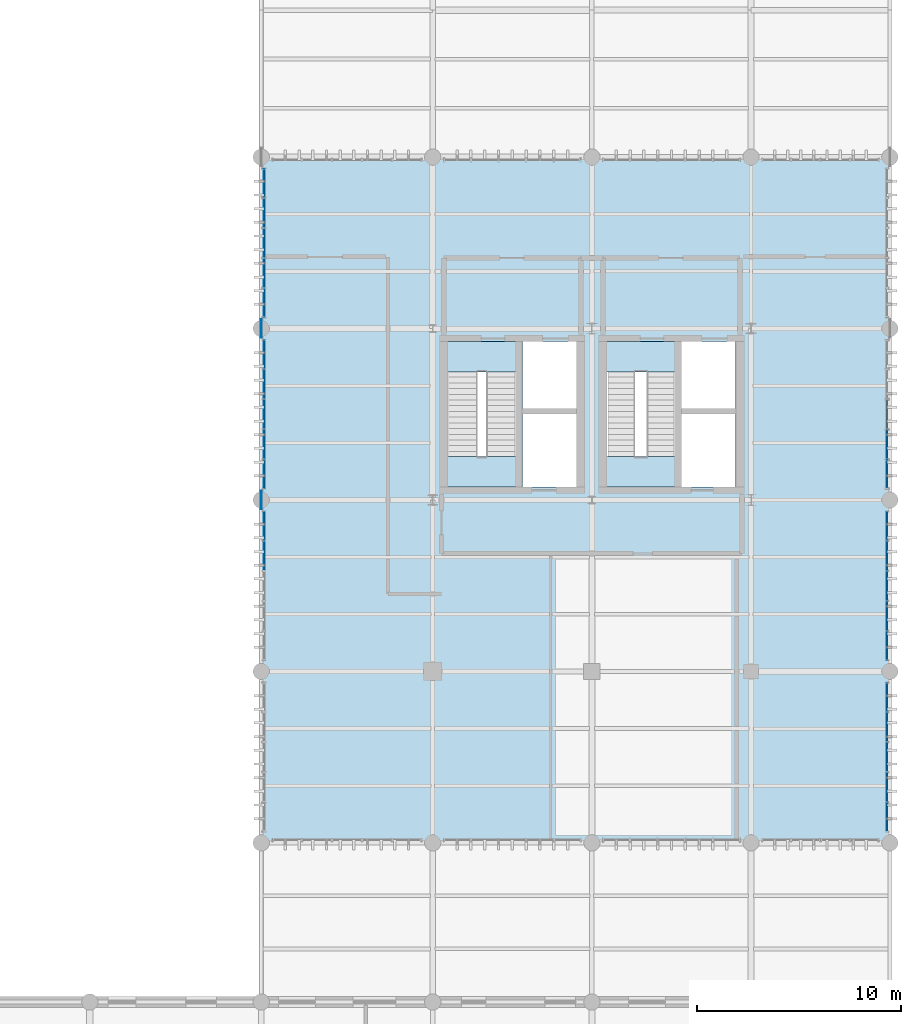
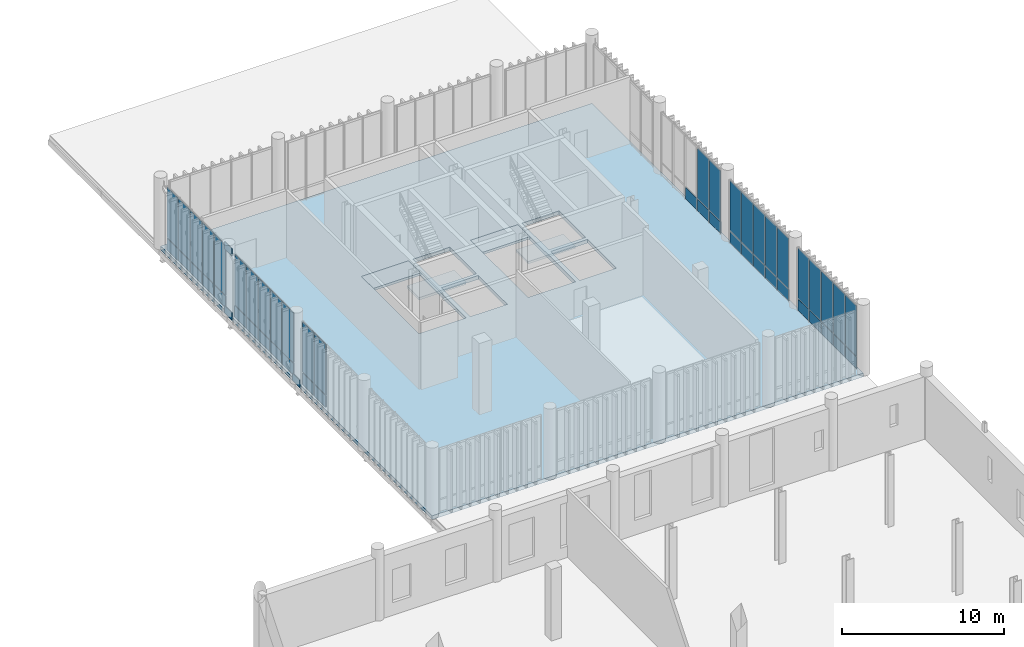
# One storey, part 102 of 128: 52 plates, 5 slabs, 8 elements without a shape of their own.
"""IFC4 building model written with IfcOpenShell, lengths in metres."""

from ifc_helpers import new_model, si_unit, direction, frame, frame_2d, origin_with_axes, origin_2d_with_axis, place, context, subcontext, project, spatial, polyline, rectangle, outline, extrude, material, layer, layer_set, type_object, element, aggregate, save


model = new_model("IFC4")

# Units and contexts
model_context = context("Model", 3, precision=1e-05, world=origin_with_axes(), true_north=direction((0.0, 1.0)))
body_context = subcontext(model_context, "Body", "Model", "MODEL_VIEW")
ifc_project = project(units=[si_unit("LENGTHUNIT", "METRE"), si_unit("AREAUNIT", "SQUARE_METRE"), si_unit("VOLUMEUNIT", "CUBIC_METRE"), si_unit("PLANEANGLEUNIT", "RADIAN"), si_unit("MASSUNIT", "GRAM", prefix="KILO"), si_unit("THERMODYNAMICTEMPERATUREUNIT", "KELVIN")], contexts=[model_context])

# Site, building, storey
site_placement = place(None, origin_with_axes())
site = spatial("IfcSite", under=ifc_project, at=site_placement, CompositionType="ELEMENT")
building_placement = place(site_placement, origin_with_axes())
building = spatial("IfcBuilding", under=site, at=building_placement, Name="Montbau Bow Law Courts", CompositionType="ELEMENT")
storey_placement = place(building_placement, frame((0.0, 0.0, 5.4), z_axis=(0.0, 0.0, 1.0), x_axis=(1.0, 0.0, 0.0)))
storey = spatial("IfcBuildingStorey", under=building, at=storey_placement, Name="L01", CompositionType="ELEMENT", Elevation=5.4)

# Curtain wall, plates
ifc_material_1 = material(Name="Thermally Broken Extruded Aluminium AA 6063-T6", Category="aluminium")
curtain_wall_type = type_object("IfcCurtainWallType", Name="CW-SLT-01", PredefinedType="NOTDEFINED", material=ifc_material_1)
curtain_wall_1_placement = place(None, frame((138.74, 78.515, 5.4), z_axis=(0.0, 0.0, 1.0), x_axis=(1.0, 0.0, 0.0)))
curtain_wall_1 = element("IfcCurtainWall", 1, at=curtain_wall_1_placement, inside=storey, type_object=curtain_wall_type, Name="CW-L01-286:cw_0286", PredefinedType="NOTDEFINED")
ifc_material_2 = material(Name="Triple-Glazed Low-E Argon Insulating Glass Unit", Category="glass")
ifc_layer_1 = layer(ifc_material_2, 0.044, Name="Curtain Panel", Category="glass")
ifc_layer_set_1 = layer_set([ifc_layer_1], Name="Triple-Glazed Low-E Argon Insulating Glass Unit")
plate_type_1 = type_object("IfcPlateType", Name="PL-CWP-01", PredefinedType="CURTAIN_PANEL", material=ifc_layer_set_1)
plate_1_placement = place(None, frame((138.74, 82.971, 6.382), z_axis=(1.0, 0.0, 0.0), x_axis=(0.0, 1.0, 0.0)))
plate_1 = element("IfcPlate", 2, at=plate_1_placement, type_object=plate_type_1, Name="CW-L01-286-P04-2:cw_0286_P04_2", PredefinedType="CURTAIN_PANEL", context=body_context, shape_type="SweptSolid", body=[
    extrude(rectangle(XDim=1.406, YDim=3.776, at=frame_2d((0.703, 1.888), x_axis=(1.0, 0.0))), frame((0.0, 0.0, -0.022), z_axis=(0.0, 0.0, 1.0), x_axis=(1.0, 0.0, 0.0)), (0.0, 0.0, 1.0), 0.044),
])
plate_2_placement = place(None, frame((138.74, 84.445, 6.382), z_axis=(1.0, 0.0, 0.0), x_axis=(0.0, 1.0, 0.0)))
plate_2 = element("IfcPlate", 3, at=plate_2_placement, type_object=plate_type_1, Name="CW-L01-286-P05-2:cw_0286_P05_2", PredefinedType="CURTAIN_PANEL", context=body_context, shape_type="SweptSolid", body=[
    extrude(rectangle(XDim=1.374, YDim=3.776, at=frame_2d((0.687, 1.888), x_axis=(1.0, 0.0))), frame((0.0, 0.0, -0.022), z_axis=(0.0, 0.0, 1.0), x_axis=(1.0, 0.0, 0.0)), (0.0, 0.0, 1.0), 0.044),
])

curtain_wall_2_placement = place(None, frame((138.74, 86.915, 5.4), z_axis=(0.0, 0.0, 1.0), x_axis=(1.0, 0.0, 0.0)))
curtain_wall_2 = element("IfcCurtainWall", 4, at=curtain_wall_2_placement, inside=storey, type_object=curtain_wall_type, Name="CW-L01-287:cw_0287", PredefinedType="NOTDEFINED")
plate_3_placement = place(None, frame((138.74, 86.977, 6.379), z_axis=(1.0, 0.0, 0.0), x_axis=(0.0, 1.0, 0.0)))
plate_3 = element("IfcPlate", 5, at=plate_3_placement, type_object=plate_type_1, Name="CW-L01-287-P01-2:cw_0287_P01_2", PredefinedType="CURTAIN_PANEL", context=body_context, shape_type="SweptSolid", body=[
    extrude(rectangle(XDim=1.38, YDim=3.784, at=frame_2d((0.69, 1.892), x_axis=(1.0, 0.0))), frame((0.0, 0.0, -0.022), z_axis=(0.0, 0.0, 1.0), x_axis=(1.0, 0.0, 0.0)), (0.0, 0.0, 1.0), 0.044),
])
plate_4_placement = place(None, frame((138.74, 88.421, 6.379), z_axis=(1.0, 0.0, 0.0), x_axis=(0.0, 1.0, 0.0)))
plate_4 = element("IfcPlate", 6, at=plate_4_placement, type_object=plate_type_1, Name="CW-L01-287-P02-2:cw_0287_P02_2", PredefinedType="CURTAIN_PANEL", context=body_context, shape_type="SweptSolid", body=[
    extrude(rectangle(XDim=1.41, YDim=3.784, at=frame_2d((0.705, 1.892), x_axis=(1.0, 0.0))), frame((0.0, 0.0, -0.022), z_axis=(0.0, 0.0, 1.0), x_axis=(1.0, 0.0, 0.0)), (0.0, 0.0, 1.0), 0.044),
])
plate_5_placement = place(None, frame((138.74, 89.895, 6.379), z_axis=(1.0, 0.0, 0.0), x_axis=(0.0, 1.0, 0.0)))
plate_5 = element("IfcPlate", 7, at=plate_5_placement, type_object=plate_type_1, Name="CW-L01-287-P03-2:cw_0287_P03_2", PredefinedType="CURTAIN_PANEL", context=body_context, shape_type="SweptSolid", body=[
    extrude(rectangle(XDim=1.41, YDim=3.784, at=frame_2d((0.705, 1.892), x_axis=(1.0, 0.0))), frame((0.0, 0.0, -0.022), z_axis=(0.0, 0.0, 1.0), x_axis=(1.0, 0.0, 0.0)), (0.0, 0.0, 1.0), 0.044),
])
plate_6_placement = place(None, frame((138.74, 91.369, 6.379), z_axis=(1.0, 0.0, 0.0), x_axis=(0.0, 1.0, 0.0)))
plate_6 = element("IfcPlate", 8, at=plate_6_placement, type_object=plate_type_1, Name="CW-L01-287-P04-2:cw_0287_P04_2", PredefinedType="CURTAIN_PANEL", context=body_context, shape_type="SweptSolid", body=[
    extrude(rectangle(XDim=1.41, YDim=3.784, at=frame_2d((0.705, 1.892), x_axis=(1.0, 0.0))), frame((0.0, 0.0, -0.022), z_axis=(0.0, 0.0, 1.0), x_axis=(1.0, 0.0, 0.0)), (0.0, 0.0, 1.0), 0.044),
])
plate_7_placement = place(None, frame((138.74, 92.843, 6.379), z_axis=(1.0, 0.0, 0.0), x_axis=(0.0, 1.0, 0.0)))
plate_7 = element("IfcPlate", 9, at=plate_7_placement, type_object=plate_type_1, Name="CW-L01-287-P05-2:cw_0287_P05_2", PredefinedType="CURTAIN_PANEL", context=body_context, shape_type="SweptSolid", body=[
    extrude(rectangle(XDim=1.38, YDim=3.784, at=frame_2d((0.69, 1.892), x_axis=(1.0, 0.0))), frame((0.0, 0.0, -0.022), z_axis=(0.0, 0.0, 1.0), x_axis=(1.0, 0.0, 0.0)), (0.0, 0.0, 1.0), 0.044),
])

curtain_wall_3_placement = place(None, frame((138.74, 95.315, 5.4), z_axis=(0.0, 0.0, 1.0), x_axis=(1.0, 0.0, 0.0)))
curtain_wall_3 = element("IfcCurtainWall", 10, at=curtain_wall_3_placement, inside=storey, type_object=curtain_wall_type, Name="CW-L01-288:cw_0288", PredefinedType="NOTDEFINED")
plate_8_placement = place(None, frame((138.74, 95.391, 6.382), z_axis=(1.0, 0.0, 0.0), x_axis=(0.0, 1.0, 0.0)))
plate_8 = element("IfcPlate", 11, at=plate_8_placement, type_object=plate_type_1, Name="CW-L01-288-P01-2:cw_0288_P01_2", PredefinedType="CURTAIN_PANEL", context=body_context, shape_type="SweptSolid", body=[
    extrude(rectangle(XDim=1.358, YDim=3.776, at=frame_2d((0.679, 1.888), x_axis=(1.0, 0.0))), frame((0.0, 0.0, -0.022), z_axis=(0.0, 0.0, 1.0), x_axis=(1.0, 0.0, 0.0)), (0.0, 0.0, 1.0), 0.044),
])
plate_9_placement = place(None, frame((138.74, 96.829, 6.382), z_axis=(1.0, 0.0, 0.0), x_axis=(0.0, 1.0, 0.0)))
plate_9 = element("IfcPlate", 12, at=plate_9_placement, type_object=plate_type_1, Name="CW-L01-288-P02-2:cw_0288_P02_2", PredefinedType="CURTAIN_PANEL", context=body_context, shape_type="SweptSolid", body=[
    extrude(rectangle(XDim=1.395, YDim=3.776, at=frame_2d((0.6975, 1.888), x_axis=(1.0, 0.0))), frame((0.0, 0.0, -0.022), z_axis=(0.0, 0.0, 1.0), x_axis=(1.0, 0.0, 0.0)), (0.0, 0.0, 1.0), 0.044),
])
plate_10_placement = place(None, frame((138.74, 98.302, 6.382), z_axis=(1.0, 0.0, 0.0), x_axis=(0.0, 1.0, 0.0)))
plate_10 = element("IfcPlate", 13, at=plate_10_placement, type_object=plate_type_1, Name="CW-L01-288-P03-2:cw_0288_P03_2", PredefinedType="CURTAIN_PANEL", context=body_context, shape_type="SweptSolid", body=[
    extrude(rectangle(XDim=1.396, YDim=3.776, at=frame_2d((0.698, 1.888), x_axis=(1.0, 0.0))), frame((0.0, 0.0, -0.022), z_axis=(0.0, 0.0, 1.0), x_axis=(1.0, 0.0, 0.0)), (0.0, 0.0, 1.0), 0.044),
])
plate_11_placement = place(None, frame((138.74, 99.776, 6.382), z_axis=(1.0, 0.0, 0.0), x_axis=(0.0, 1.0, 0.0)))
plate_11 = element("IfcPlate", 14, at=plate_11_placement, type_object=plate_type_1, Name="CW-L01-288-P04-2:cw_0288_P04_2", PredefinedType="CURTAIN_PANEL", context=body_context, shape_type="SweptSolid", body=[
    extrude(rectangle(XDim=1.396, YDim=3.776, at=frame_2d((0.698, 1.888), x_axis=(1.0, 0.0))), frame((0.0, 0.0, -0.022), z_axis=(0.0, 0.0, 1.0), x_axis=(1.0, 0.0, 0.0)), (0.0, 0.0, 1.0), 0.044),
])
plate_12_placement = place(None, frame((138.74, 101.25, 6.382), z_axis=(1.0, 0.0, 0.0), x_axis=(0.0, 1.0, 0.0)))
plate_12 = element("IfcPlate", 15, at=plate_12_placement, type_object=plate_type_1, Name="CW-L01-288-P05-2:cw_0288_P05_2", PredefinedType="CURTAIN_PANEL", context=body_context, shape_type="SweptSolid", body=[
    extrude(rectangle(XDim=1.359, YDim=3.776, at=frame_2d((0.6795, 1.888), x_axis=(1.0, 0.0))), frame((0.0, 0.0, -0.022), z_axis=(0.0, 0.0, 1.0), x_axis=(1.0, 0.0, 0.0)), (0.0, 0.0, 1.0), 0.044),
])

curtain_wall_4_placement = place(None, frame((169.26, 70.115, 5.4), z_axis=(0.0, 0.0, 1.0), x_axis=(1.0, 0.0, 0.0)))
curtain_wall_4 = element("IfcCurtainWall", 16, at=curtain_wall_4_placement, inside=storey, type_object=curtain_wall_type, Name="CW-L01-289:cw_0289", PredefinedType="NOTDEFINED")
plate_13_placement = place(None, frame((169.26, 70.183, 6.379), z_axis=(1.0, 0.0, 0.0), x_axis=(0.0, 1.0, 0.0)))
plate_13 = element("IfcPlate", 17, at=plate_13_placement, type_object=plate_type_1, Name="CW-L01-289-P01-2:cw_0289_P01_2", PredefinedType="CURTAIN_PANEL", context=body_context, shape_type="SweptSolid", body=[
    extrude(rectangle(XDim=1.372, YDim=3.784, at=frame_2d((0.686, 1.892), x_axis=(1.0, 0.0))), frame((0.0, 0.0, -0.022), z_axis=(0.0, 0.0, 1.0), x_axis=(1.0, 0.0, 0.0)), (0.0, 0.0, 1.0), 0.044),
])
plate_14_placement = place(None, frame((169.26, 71.623, 6.379), z_axis=(1.0, 0.0, 0.0), x_axis=(0.0, 1.0, 0.0)))
plate_14 = element("IfcPlate", 18, at=plate_14_placement, type_object=plate_type_1, Name="CW-L01-289-P02-2:cw_0289_P02_2", PredefinedType="CURTAIN_PANEL", context=body_context, shape_type="SweptSolid", body=[
    extrude(rectangle(XDim=1.405, YDim=3.784, at=frame_2d((0.7025, 1.892), x_axis=(1.0, 0.0))), frame((0.0, 0.0, -0.022), z_axis=(0.0, 0.0, 1.0), x_axis=(1.0, 0.0, 0.0)), (0.0, 0.0, 1.0), 0.044),
])
plate_15_placement = place(None, frame((169.26, 73.097, 6.379), z_axis=(1.0, 0.0, 0.0), x_axis=(0.0, 1.0, 0.0)))
plate_15 = element("IfcPlate", 19, at=plate_15_placement, type_object=plate_type_1, Name="CW-L01-289-P03-2:cw_0289_P03_2", PredefinedType="CURTAIN_PANEL", context=body_context, shape_type="SweptSolid", body=[
    extrude(rectangle(XDim=1.406, YDim=3.784, at=frame_2d((0.703, 1.892), x_axis=(1.0, 0.0))), frame((0.0, 0.0, -0.022), z_axis=(0.0, 0.0, 1.0), x_axis=(1.0, 0.0, 0.0)), (0.0, 0.0, 1.0), 0.044),
])
plate_16_placement = place(None, frame((169.26, 74.571, 6.379), z_axis=(1.0, 0.0, 0.0), x_axis=(0.0, 1.0, 0.0)))
plate_16 = element("IfcPlate", 20, at=plate_16_placement, type_object=plate_type_1, Name="CW-L01-289-P04-2:cw_0289_P04_2", PredefinedType="CURTAIN_PANEL", context=body_context, shape_type="SweptSolid", body=[
    extrude(rectangle(XDim=1.406, YDim=3.784, at=frame_2d((0.703, 1.892), x_axis=(1.0, 0.0))), frame((0.0, 0.0, -0.022), z_axis=(0.0, 0.0, 1.0), x_axis=(1.0, 0.0, 0.0)), (0.0, 0.0, 1.0), 0.044),
])
plate_17_placement = place(None, frame((169.26, 76.045, 6.379), z_axis=(1.0, 0.0, 0.0), x_axis=(0.0, 1.0, 0.0)))
plate_17 = element("IfcPlate", 21, at=plate_17_placement, type_object=plate_type_1, Name="CW-L01-289-P05-2:cw_0289_P05_2", PredefinedType="CURTAIN_PANEL", context=body_context, shape_type="SweptSolid", body=[
    extrude(rectangle(XDim=1.374, YDim=3.784, at=frame_2d((0.687, 1.892), x_axis=(1.0, 0.0))), frame((0.0, 0.0, -0.022), z_axis=(0.0, 0.0, 1.0), x_axis=(1.0, 0.0, 0.0)), (0.0, 0.0, 1.0), 0.044),
])

curtain_wall_5_placement = place(None, frame((169.26, 78.515, 5.4), z_axis=(0.0, 0.0, 1.0), x_axis=(1.0, 0.0, 0.0)))
curtain_wall_5 = element("IfcCurtainWall", 22, at=curtain_wall_5_placement, inside=storey, type_object=curtain_wall_type, Name="CW-L01-290:cw_0290", PredefinedType="NOTDEFINED")
plate_18_placement = place(None, frame((169.26, 78.577, 6.382), z_axis=(1.0, 0.0, 0.0), x_axis=(0.0, 1.0, 0.0)))
plate_18 = element("IfcPlate", 23, at=plate_18_placement, type_object=plate_type_1, Name="CW-L01-290-P01-2:cw_0290_P01_2", PredefinedType="CURTAIN_PANEL", context=body_context, shape_type="SweptSolid", body=[
    extrude(rectangle(XDim=1.38, YDim=3.776, at=frame_2d((0.69, 1.888), x_axis=(1.0, 0.0))), frame((0.0, 0.0, -0.022), z_axis=(0.0, 0.0, 1.0), x_axis=(1.0, 0.0, 0.0)), (0.0, 0.0, 1.0), 0.044),
])
plate_19_placement = place(None, frame((169.26, 80.021, 6.382), z_axis=(1.0, 0.0, 0.0), x_axis=(0.0, 1.0, 0.0)))
plate_19 = element("IfcPlate", 24, at=plate_19_placement, type_object=plate_type_1, Name="CW-L01-290-P02-2:cw_0290_P02_2", PredefinedType="CURTAIN_PANEL", context=body_context, shape_type="SweptSolid", body=[
    extrude(rectangle(XDim=1.41, YDim=3.776, at=frame_2d((0.705, 1.888), x_axis=(1.0, 0.0))), frame((0.0, 0.0, -0.022), z_axis=(0.0, 0.0, 1.0), x_axis=(1.0, 0.0, 0.0)), (0.0, 0.0, 1.0), 0.044),
])
plate_20_placement = place(None, frame((169.26, 81.495, 6.382), z_axis=(1.0, 0.0, 0.0), x_axis=(0.0, 1.0, 0.0)))
plate_20 = element("IfcPlate", 25, at=plate_20_placement, type_object=plate_type_1, Name="CW-L01-290-P03-2:cw_0290_P03_2", PredefinedType="CURTAIN_PANEL", context=body_context, shape_type="SweptSolid", body=[
    extrude(rectangle(XDim=1.41, YDim=3.776, at=frame_2d((0.705, 1.888), x_axis=(1.0, 0.0))), frame((0.0, 0.0, -0.022), z_axis=(0.0, 0.0, 1.0), x_axis=(1.0, 0.0, 0.0)), (0.0, 0.0, 1.0), 0.044),
])
plate_21_placement = place(None, frame((169.26, 82.969, 6.382), z_axis=(1.0, 0.0, 0.0), x_axis=(0.0, 1.0, 0.0)))
plate_21 = element("IfcPlate", 26, at=plate_21_placement, type_object=plate_type_1, Name="CW-L01-290-P04-2:cw_0290_P04_2", PredefinedType="CURTAIN_PANEL", context=body_context, shape_type="SweptSolid", body=[
    extrude(rectangle(XDim=1.41, YDim=3.776, at=frame_2d((0.705, 1.888), x_axis=(1.0, 0.0))), frame((0.0, 0.0, -0.022), z_axis=(0.0, 0.0, 1.0), x_axis=(1.0, 0.0, 0.0)), (0.0, 0.0, 1.0), 0.044),
])
plate_22_placement = place(None, frame((169.26, 84.443, 6.382), z_axis=(1.0, 0.0, 0.0), x_axis=(0.0, 1.0, 0.0)))
plate_22 = element("IfcPlate", 27, at=plate_22_placement, type_object=plate_type_1, Name="CW-L01-290-P05-2:cw_0290_P05_2", PredefinedType="CURTAIN_PANEL", context=body_context, shape_type="SweptSolid", body=[
    extrude(rectangle(XDim=1.38, YDim=3.776, at=frame_2d((0.69, 1.888), x_axis=(1.0, 0.0))), frame((0.0, 0.0, -0.022), z_axis=(0.0, 0.0, 1.0), x_axis=(1.0, 0.0, 0.0)), (0.0, 0.0, 1.0), 0.044),
])

curtain_wall_6_placement = place(None, frame((169.26, 86.915, 5.4), z_axis=(0.0, 0.0, 1.0), x_axis=(1.0, 0.0, 0.0)))
curtain_wall_6 = element("IfcCurtainWall", 28, at=curtain_wall_6_placement, inside=storey, type_object=curtain_wall_type, Name="CW-L01-291:cw_0291", PredefinedType="NOTDEFINED")
plate_23_placement = place(None, frame((169.26, 86.991, 6.379), z_axis=(1.0, 0.0, 0.0), x_axis=(0.0, 1.0, 0.0)))
plate_23 = element("IfcPlate", 29, at=plate_23_placement, type_object=plate_type_1, Name="CW-L01-291-P01-2:cw_0291_P01_2", PredefinedType="CURTAIN_PANEL", context=body_context, shape_type="SweptSolid", body=[
    extrude(rectangle(XDim=1.358, YDim=3.784, at=frame_2d((0.679, 1.892), x_axis=(1.0, 0.0))), frame((0.0, 0.0, -0.022), z_axis=(0.0, 0.0, 1.0), x_axis=(1.0, 0.0, 0.0)), (0.0, 0.0, 1.0), 0.044),
])
plate_24_placement = place(None, frame((169.26, 88.429, 6.379), z_axis=(1.0, 0.0, 0.0), x_axis=(0.0, 1.0, 0.0)))
plate_24 = element("IfcPlate", 30, at=plate_24_placement, type_object=plate_type_1, Name="CW-L01-291-P02-2:cw_0291_P02_2", PredefinedType="CURTAIN_PANEL", context=body_context, shape_type="SweptSolid", body=[
    extrude(rectangle(XDim=1.395, YDim=3.784, at=frame_2d((0.6975, 1.892), x_axis=(1.0, 0.0))), frame((0.0, 0.0, -0.022), z_axis=(0.0, 0.0, 1.0), x_axis=(1.0, 0.0, 0.0)), (0.0, 0.0, 1.0), 0.044),
])

# Plate
ifc_material_3 = material(Name="Insulated Ceramic-Frit Spandrel Glazing Unit", Category="glass")
ifc_layer_2 = layer(ifc_material_3, 0.056, Name="Curtain Panel", Category="glass")
ifc_layer_set_2 = layer_set([ifc_layer_2], Name="Insulated Ceramic-Frit Spandrel Glazing Unit")
plate_type_2 = type_object("IfcPlateType", Name="PL-CWP-02", PredefinedType="CURTAIN_PANEL", material=ifc_layer_set_2)
plate_25_placement = place(None, frame((138.74, 82.971, 5.462), z_axis=(1.0, 0.0, 0.0), x_axis=(0.0, 1.0, 0.0)))
plate_25 = element("IfcPlate", 31, at=plate_25_placement, type_object=plate_type_2, Name="CW-L01-286-P04-1:cw_0286_P04_1", PredefinedType="CURTAIN_PANEL", context=body_context, shape_type="SweptSolid", body=[
    extrude(rectangle(XDim=1.406, YDim=0.856, at=frame_2d((0.703, 0.428), x_axis=(1.0, 0.0))), frame((0.0, 0.0, -0.028), z_axis=(0.0, 0.0, 1.0), x_axis=(1.0, 0.0, 0.0)), (0.0, 0.0, 1.0), 0.056),
])

plate_26_placement = place(None, frame((138.74, 84.445, 5.462), z_axis=(1.0, 0.0, 0.0), x_axis=(0.0, 1.0, 0.0)))
plate_26 = element("IfcPlate", 32, at=plate_26_placement, type_object=plate_type_2, Name="CW-L01-286-P05-1:cw_0286_P05_1", PredefinedType="CURTAIN_PANEL", context=body_context, shape_type="SweptSolid", body=[
    extrude(rectangle(XDim=1.374, YDim=0.856, at=frame_2d((0.687, 0.428), x_axis=(1.0, 0.0))), frame((0.0, 0.0, -0.028), z_axis=(0.0, 0.0, 1.0), x_axis=(1.0, 0.0, 0.0)), (0.0, 0.0, 1.0), 0.056),
])

aggregate(curtain_wall_1, [plate_25, plate_1, plate_26, plate_2])

plate_27_placement = place(None, frame((138.74, 86.977, 5.457), z_axis=(1.0, 0.0, 0.0), x_axis=(0.0, 1.0, 0.0)))
plate_27 = element("IfcPlate", 33, at=plate_27_placement, type_object=plate_type_2, Name="CW-L01-287-P01-1:cw_0287_P01_1", PredefinedType="CURTAIN_PANEL", context=body_context, shape_type="SweptSolid", body=[
    extrude(rectangle(XDim=1.38, YDim=0.864, at=frame_2d((0.69, 0.432), x_axis=(1.0, 0.0))), frame((0.0, 0.0, -0.028), z_axis=(0.0, 0.0, 1.0), x_axis=(1.0, 0.0, 0.0)), (0.0, 0.0, 1.0), 0.056),
])

plate_28_placement = place(None, frame((138.74, 88.421, 5.457), z_axis=(1.0, 0.0, 0.0), x_axis=(0.0, 1.0, 0.0)))
plate_28 = element("IfcPlate", 34, at=plate_28_placement, type_object=plate_type_2, Name="CW-L01-287-P02-1:cw_0287_P02_1", PredefinedType="CURTAIN_PANEL", context=body_context, shape_type="SweptSolid", body=[
    extrude(rectangle(XDim=1.41, YDim=0.864, at=frame_2d((0.705, 0.432), x_axis=(1.0, 0.0))), frame((0.0, 0.0, -0.028), z_axis=(0.0, 0.0, 1.0), x_axis=(1.0, 0.0, 0.0)), (0.0, 0.0, 1.0), 0.056),
])

plate_29_placement = place(None, frame((138.74, 89.895, 5.457), z_axis=(1.0, 0.0, 0.0), x_axis=(0.0, 1.0, 0.0)))
plate_29 = element("IfcPlate", 35, at=plate_29_placement, type_object=plate_type_2, Name="CW-L01-287-P03-1:cw_0287_P03_1", PredefinedType="CURTAIN_PANEL", context=body_context, shape_type="SweptSolid", body=[
    extrude(rectangle(XDim=1.41, YDim=0.864, at=frame_2d((0.705, 0.432), x_axis=(1.0, 0.0))), frame((0.0, 0.0, -0.028), z_axis=(0.0, 0.0, 1.0), x_axis=(1.0, 0.0, 0.0)), (0.0, 0.0, 1.0), 0.056),
])

plate_30_placement = place(None, frame((138.74, 91.369, 5.457), z_axis=(1.0, 0.0, 0.0), x_axis=(0.0, 1.0, 0.0)))
plate_30 = element("IfcPlate", 36, at=plate_30_placement, type_object=plate_type_2, Name="CW-L01-287-P04-1:cw_0287_P04_1", PredefinedType="CURTAIN_PANEL", context=body_context, shape_type="SweptSolid", body=[
    extrude(rectangle(XDim=1.41, YDim=0.864, at=frame_2d((0.705, 0.432), x_axis=(1.0, 0.0))), frame((0.0, 0.0, -0.028), z_axis=(0.0, 0.0, 1.0), x_axis=(1.0, 0.0, 0.0)), (0.0, 0.0, 1.0), 0.056),
])

plate_31_placement = place(None, frame((138.74, 92.843, 5.457), z_axis=(1.0, 0.0, 0.0), x_axis=(0.0, 1.0, 0.0)))
plate_31 = element("IfcPlate", 37, at=plate_31_placement, type_object=plate_type_2, Name="CW-L01-287-P05-1:cw_0287_P05_1", PredefinedType="CURTAIN_PANEL", context=body_context, shape_type="SweptSolid", body=[
    extrude(rectangle(XDim=1.38, YDim=0.864, at=frame_2d((0.69, 0.432), x_axis=(1.0, 0.0))), frame((0.0, 0.0, -0.028), z_axis=(0.0, 0.0, 1.0), x_axis=(1.0, 0.0, 0.0)), (0.0, 0.0, 1.0), 0.056),
])

aggregate(curtain_wall_2, [plate_27, plate_3, plate_28, plate_4, plate_29, plate_5, plate_30, plate_6, plate_31, plate_7])

plate_32_placement = place(None, frame((138.74, 95.391, 5.462), z_axis=(1.0, 0.0, 0.0), x_axis=(0.0, 1.0, 0.0)))
plate_32 = element("IfcPlate", 38, at=plate_32_placement, type_object=plate_type_2, Name="CW-L01-288-P01-1:cw_0288_P01_1", PredefinedType="CURTAIN_PANEL", context=body_context, shape_type="SweptSolid", body=[
    extrude(rectangle(XDim=1.358, YDim=0.856, at=frame_2d((0.679, 0.428), x_axis=(1.0, 0.0))), frame((0.0, 0.0, -0.028), z_axis=(0.0, 0.0, 1.0), x_axis=(1.0, 0.0, 0.0)), (0.0, 0.0, 1.0), 0.056),
])

plate_33_placement = place(None, frame((138.74, 96.829, 5.462), z_axis=(1.0, 0.0, 0.0), x_axis=(0.0, 1.0, 0.0)))
plate_33 = element("IfcPlate", 39, at=plate_33_placement, type_object=plate_type_2, Name="CW-L01-288-P02-1:cw_0288_P02_1", PredefinedType="CURTAIN_PANEL", context=body_context, shape_type="SweptSolid", body=[
    extrude(rectangle(XDim=1.395, YDim=0.856, at=frame_2d((0.6975, 0.428), x_axis=(1.0, 0.0))), frame((0.0, 0.0, -0.028), z_axis=(0.0, 0.0, 1.0), x_axis=(1.0, 0.0, 0.0)), (0.0, 0.0, 1.0), 0.056),
])

plate_34_placement = place(None, frame((138.74, 98.302, 5.462), z_axis=(1.0, 0.0, 0.0), x_axis=(0.0, 1.0, 0.0)))
plate_34 = element("IfcPlate", 40, at=plate_34_placement, type_object=plate_type_2, Name="CW-L01-288-P03-1:cw_0288_P03_1", PredefinedType="CURTAIN_PANEL", context=body_context, shape_type="SweptSolid", body=[
    extrude(rectangle(XDim=1.396, YDim=0.856, at=frame_2d((0.698, 0.428), x_axis=(1.0, 0.0))), frame((0.0, 0.0, -0.028), z_axis=(0.0, 0.0, 1.0), x_axis=(1.0, 0.0, 0.0)), (0.0, 0.0, 1.0), 0.056),
])

plate_35_placement = place(None, frame((138.74, 99.776, 5.462), z_axis=(1.0, 0.0, 0.0), x_axis=(0.0, 1.0, 0.0)))
plate_35 = element("IfcPlate", 41, at=plate_35_placement, type_object=plate_type_2, Name="CW-L01-288-P04-1:cw_0288_P04_1", PredefinedType="CURTAIN_PANEL", context=body_context, shape_type="SweptSolid", body=[
    extrude(rectangle(XDim=1.396, YDim=0.856, at=frame_2d((0.698, 0.428), x_axis=(1.0, 0.0))), frame((0.0, 0.0, -0.028), z_axis=(0.0, 0.0, 1.0), x_axis=(1.0, 0.0, 0.0)), (0.0, 0.0, 1.0), 0.056),
])

plate_36_placement = place(None, frame((138.74, 101.25, 5.462), z_axis=(1.0, 0.0, 0.0), x_axis=(0.0, 1.0, 0.0)))
plate_36 = element("IfcPlate", 42, at=plate_36_placement, type_object=plate_type_2, Name="CW-L01-288-P05-1:cw_0288_P05_1", PredefinedType="CURTAIN_PANEL", context=body_context, shape_type="SweptSolid", body=[
    extrude(rectangle(XDim=1.359, YDim=0.856, at=frame_2d((0.6795, 0.428), x_axis=(1.0, 0.0))), frame((0.0, 0.0, -0.028), z_axis=(0.0, 0.0, 1.0), x_axis=(1.0, 0.0, 0.0)), (0.0, 0.0, 1.0), 0.056),
])

aggregate(curtain_wall_3, [plate_32, plate_8, plate_33, plate_9, plate_34, plate_10, plate_35, plate_11, plate_36, plate_12])

plate_37_placement = place(None, frame((169.26, 70.183, 5.457), z_axis=(1.0, 0.0, 0.0), x_axis=(0.0, 1.0, 0.0)))
plate_37 = element("IfcPlate", 43, at=plate_37_placement, type_object=plate_type_2, Name="CW-L01-289-P01-1:cw_0289_P01_1", PredefinedType="CURTAIN_PANEL", context=body_context, shape_type="SweptSolid", body=[
    extrude(rectangle(XDim=1.372, YDim=0.864, at=frame_2d((0.686, 0.432), x_axis=(1.0, 0.0))), frame((0.0, 0.0, -0.028), z_axis=(0.0, 0.0, 1.0), x_axis=(1.0, 0.0, 0.0)), (0.0, 0.0, 1.0), 0.056),
])

plate_38_placement = place(None, frame((169.26, 71.623, 5.457), z_axis=(1.0, 0.0, 0.0), x_axis=(0.0, 1.0, 0.0)))
plate_38 = element("IfcPlate", 44, at=plate_38_placement, type_object=plate_type_2, Name="CW-L01-289-P02-1:cw_0289_P02_1", PredefinedType="CURTAIN_PANEL", context=body_context, shape_type="SweptSolid", body=[
    extrude(rectangle(XDim=1.405, YDim=0.864, at=frame_2d((0.7025, 0.432), x_axis=(1.0, 0.0))), frame((0.0, 0.0, -0.028), z_axis=(0.0, 0.0, 1.0), x_axis=(1.0, 0.0, 0.0)), (0.0, 0.0, 1.0), 0.056),
])

plate_39_placement = place(None, frame((169.26, 73.097, 5.457), z_axis=(1.0, 0.0, 0.0), x_axis=(0.0, 1.0, 0.0)))
plate_39 = element("IfcPlate", 45, at=plate_39_placement, type_object=plate_type_2, Name="CW-L01-289-P03-1:cw_0289_P03_1", PredefinedType="CURTAIN_PANEL", context=body_context, shape_type="SweptSolid", body=[
    extrude(rectangle(XDim=1.406, YDim=0.864, at=frame_2d((0.703, 0.432), x_axis=(1.0, 0.0))), frame((0.0, 0.0, -0.028), z_axis=(0.0, 0.0, 1.0), x_axis=(1.0, 0.0, 0.0)), (0.0, 0.0, 1.0), 0.056),
])

plate_40_placement = place(None, frame((169.26, 74.571, 5.457), z_axis=(1.0, 0.0, 0.0), x_axis=(0.0, 1.0, 0.0)))
plate_40 = element("IfcPlate", 46, at=plate_40_placement, type_object=plate_type_2, Name="CW-L01-289-P04-1:cw_0289_P04_1", PredefinedType="CURTAIN_PANEL", context=body_context, shape_type="SweptSolid", body=[
    extrude(rectangle(XDim=1.406, YDim=0.864, at=frame_2d((0.703, 0.432), x_axis=(1.0, 0.0))), frame((0.0, 0.0, -0.028), z_axis=(0.0, 0.0, 1.0), x_axis=(1.0, 0.0, 0.0)), (0.0, 0.0, 1.0), 0.056),
])

plate_41_placement = place(None, frame((169.26, 76.045, 5.457), z_axis=(1.0, 0.0, 0.0), x_axis=(0.0, 1.0, 0.0)))
plate_41 = element("IfcPlate", 47, at=plate_41_placement, type_object=plate_type_2, Name="CW-L01-289-P05-1:cw_0289_P05_1", PredefinedType="CURTAIN_PANEL", context=body_context, shape_type="SweptSolid", body=[
    extrude(rectangle(XDim=1.374, YDim=0.864, at=frame_2d((0.687, 0.432), x_axis=(1.0, 0.0))), frame((0.0, 0.0, -0.028), z_axis=(0.0, 0.0, 1.0), x_axis=(1.0, 0.0, 0.0)), (0.0, 0.0, 1.0), 0.056),
])

aggregate(curtain_wall_4, [plate_37, plate_13, plate_38, plate_14, plate_39, plate_15, plate_40, plate_16, plate_41, plate_17])

plate_42_placement = place(None, frame((169.26, 78.577, 5.462), z_axis=(1.0, 0.0, 0.0), x_axis=(0.0, 1.0, 0.0)))
plate_42 = element("IfcPlate", 48, at=plate_42_placement, type_object=plate_type_2, Name="CW-L01-290-P01-1:cw_0290_P01_1", PredefinedType="CURTAIN_PANEL", context=body_context, shape_type="SweptSolid", body=[
    extrude(rectangle(XDim=1.38, YDim=0.856, at=frame_2d((0.69, 0.428), x_axis=(1.0, 0.0))), frame((0.0, 0.0, -0.028), z_axis=(0.0, 0.0, 1.0), x_axis=(1.0, 0.0, 0.0)), (0.0, 0.0, 1.0), 0.056),
])

plate_43_placement = place(None, frame((169.26, 80.021, 5.462), z_axis=(1.0, 0.0, 0.0), x_axis=(0.0, 1.0, 0.0)))
plate_43 = element("IfcPlate", 49, at=plate_43_placement, type_object=plate_type_2, Name="CW-L01-290-P02-1:cw_0290_P02_1", PredefinedType="CURTAIN_PANEL", context=body_context, shape_type="SweptSolid", body=[
    extrude(rectangle(XDim=1.41, YDim=0.856, at=frame_2d((0.705, 0.428), x_axis=(1.0, 0.0))), frame((0.0, 0.0, -0.028), z_axis=(0.0, 0.0, 1.0), x_axis=(1.0, 0.0, 0.0)), (0.0, 0.0, 1.0), 0.056),
])

plate_44_placement = place(None, frame((169.26, 81.495, 5.462), z_axis=(1.0, 0.0, 0.0), x_axis=(0.0, 1.0, 0.0)))
plate_44 = element("IfcPlate", 50, at=plate_44_placement, type_object=plate_type_2, Name="CW-L01-290-P03-1:cw_0290_P03_1", PredefinedType="CURTAIN_PANEL", context=body_context, shape_type="SweptSolid", body=[
    extrude(rectangle(XDim=1.41, YDim=0.856, at=frame_2d((0.705, 0.428), x_axis=(1.0, 0.0))), frame((0.0, 0.0, -0.028), z_axis=(0.0, 0.0, 1.0), x_axis=(1.0, 0.0, 0.0)), (0.0, 0.0, 1.0), 0.056),
])

plate_45_placement = place(None, frame((169.26, 82.969, 5.462), z_axis=(1.0, 0.0, 0.0), x_axis=(0.0, 1.0, 0.0)))
plate_45 = element("IfcPlate", 51, at=plate_45_placement, type_object=plate_type_2, Name="CW-L01-290-P04-1:cw_0290_P04_1", PredefinedType="CURTAIN_PANEL", context=body_context, shape_type="SweptSolid", body=[
    extrude(rectangle(XDim=1.41, YDim=0.856, at=frame_2d((0.705, 0.428), x_axis=(1.0, 0.0))), frame((0.0, 0.0, -0.028), z_axis=(0.0, 0.0, 1.0), x_axis=(1.0, 0.0, 0.0)), (0.0, 0.0, 1.0), 0.056),
])

plate_46_placement = place(None, frame((169.26, 84.443, 5.462), z_axis=(1.0, 0.0, 0.0), x_axis=(0.0, 1.0, 0.0)))
plate_46 = element("IfcPlate", 52, at=plate_46_placement, type_object=plate_type_2, Name="CW-L01-290-P05-1:cw_0290_P05_1", PredefinedType="CURTAIN_PANEL", context=body_context, shape_type="SweptSolid", body=[
    extrude(rectangle(XDim=1.38, YDim=0.856, at=frame_2d((0.69, 0.428), x_axis=(1.0, 0.0))), frame((0.0, 0.0, -0.028), z_axis=(0.0, 0.0, 1.0), x_axis=(1.0, 0.0, 0.0)), (0.0, 0.0, 1.0), 0.056),
])

aggregate(curtain_wall_5, [plate_42, plate_18, plate_43, plate_19, plate_44, plate_20, plate_45, plate_21, plate_46, plate_22])

plate_47_placement = place(None, frame((169.26, 86.991, 5.457), z_axis=(1.0, 0.0, 0.0), x_axis=(0.0, 1.0, 0.0)))
plate_47 = element("IfcPlate", 53, at=plate_47_placement, type_object=plate_type_2, Name="CW-L01-291-P01-1:cw_0291_P01_1", PredefinedType="CURTAIN_PANEL", context=body_context, shape_type="SweptSolid", body=[
    extrude(rectangle(XDim=1.358, YDim=0.864, at=frame_2d((0.679, 0.432), x_axis=(1.0, 0.0))), frame((0.0, 0.0, -0.028), z_axis=(0.0, 0.0, 1.0), x_axis=(1.0, 0.0, 0.0)), (0.0, 0.0, 1.0), 0.056),
])

plate_48_placement = place(None, frame((169.26, 88.429, 5.457), z_axis=(1.0, 0.0, 0.0), x_axis=(0.0, 1.0, 0.0)))
plate_48 = element("IfcPlate", 54, at=plate_48_placement, type_object=plate_type_2, Name="CW-L01-291-P02-1:cw_0291_P02_1", PredefinedType="CURTAIN_PANEL", context=body_context, shape_type="SweptSolid", body=[
    extrude(rectangle(XDim=1.395, YDim=0.864, at=frame_2d((0.6975, 0.432), x_axis=(1.0, 0.0))), frame((0.0, 0.0, -0.028), z_axis=(0.0, 0.0, 1.0), x_axis=(1.0, 0.0, 0.0)), (0.0, 0.0, 1.0), 0.056),
])

plate_49_placement = place(None, frame((169.26, 89.902, 5.457), z_axis=(1.0, 0.0, 0.0), x_axis=(0.0, 1.0, 0.0)))
plate_49 = element("IfcPlate", 55, at=plate_49_placement, type_object=plate_type_2, Name="CW-L01-291-P03-1:cw_0291_P03_1", PredefinedType="CURTAIN_PANEL", context=body_context, shape_type="SweptSolid", body=[
    extrude(rectangle(XDim=1.396, YDim=0.864, at=frame_2d((0.698, 0.432), x_axis=(1.0, 0.0))), frame((0.0, 0.0, -0.028), z_axis=(0.0, 0.0, 1.0), x_axis=(1.0, 0.0, 0.0)), (0.0, 0.0, 1.0), 0.056),
])

aggregate(curtain_wall_6, [plate_47, plate_23, plate_48, plate_24, plate_49])

# Plates
ifc_material_4 = material(Name="Steel CSA G40.21 Grade 350WT (350 MPa)", Category="steel")
ifc_layer_3 = layer(ifc_material_4, 0.032, Name="Gusset Plate", Category="steel")
ifc_layer_set_3 = layer_set([ifc_layer_3], Name="Steel CSA G40.21 Grade 350WT (350 MPa)")
plate_type_3 = type_object("IfcPlateType", Name="PL-GUS-01", PredefinedType="USERDEFINED", material=ifc_layer_set_3)
for number, where, z_axis, x_axis, name in (
    (56, (138.6, 86.4, 5.17), (0.0, 0.0, 1.0), (0.0, 1.0, 0.0), "BGP-L01-138:plt_0169"),
    (57, (138.6, 94.8, 10.017), (0.0, 0.0, 1.0), (0.0, 1.0, 0.0), "BGP-L01-139:plt_0170"),
    (58, (138.6, 94.8, 5.17), (0.0, 0.0, 1.0), (0.0, 1.0, 0.0), "BGP-L01-152:plt_0183"),
):
    element("IfcPlate", number, at=place(None, frame(where, z_axis=z_axis, x_axis=x_axis)), inside=storey, type_object=plate_type_3, Name=name, ObjectType="GUSSET_PLATE", PredefinedType="USERDEFINED", context=body_context, shape_type="SweptSolid", body=[
        extrude(rectangle(XDim=0.9, YDim=0.032, at=origin_2d_with_axis()), origin_with_axes(), (0.0, 0.0, 1.0), 0.56),
    ])

# Slab
ifc_material_5 = material(Name="Concrete CSA A23.1 f'c 40 MPa", Category="concrete")
ifc_layer_4 = layer(ifc_material_5, 0.28, Name="Floor Slab", Category="concrete")
ifc_layer_set_4 = layer_set([ifc_layer_4], Name="Concrete CSA A23.1 f'c 40 MPa")
slab_type_1 = type_object("IfcSlabType", Name="SL-FLR-05", PredefinedType="FLOOR", material=ifc_layer_set_4)
slab_1_placement = place(None, frame((0.0, 0.0, 5.12), z_axis=(0.0, 0.0, 1.0), x_axis=(1.0, 0.0, 0.0)))
element("IfcSlab", 59, at=slab_1_placement, inside=storey, type_object=slab_type_1, Name="SL-V5-L01:slb_0026", PredefinedType="FLOOR", context=body_context, shape_type="SweptSolid", body=[
    extrude(outline(polyline([(138.6, 69.6), (169.4, 69.6), (169.4, 103.2), (138.6, 103.2), (138.6, 69.6)]), holes=[polyline([(147.72, 87.04), (151.1, 87.04), (151.1, 94.142), (147.72, 94.142), (147.72, 87.04)]), polyline([(151.4, 87.04), (154.035, 87.04), (154.035, 90.622), (151.4, 90.622), (151.4, 87.04)]), polyline([(151.4, 90.862), (154.035, 90.862), (154.035, 94.16), (151.4, 94.16), (151.4, 90.862)]), polyline([(155.52, 87.04), (158.9, 87.04), (158.9, 94.142), (155.52, 94.142), (155.52, 87.04)]), polyline([(159.2, 87.04), (161.835, 87.04), (161.835, 90.622), (159.2, 90.622), (159.2, 87.04)]), polyline([(159.2, 90.862), (161.835, 90.862), (161.835, 94.16), (159.2, 94.16), (159.2, 90.862)])]), origin_with_axes(), (0.0, 0.0, 1.0), 0.28),
])

# Stair, slabs
stair_type_1 = type_object("IfcStairType", Name="ST-PUB-1800", PredefinedType="HALF_TURN_STAIR", material=ifc_material_5)
stair_1_placement = place(None, frame((148.49, 92.7, 5.4), z_axis=(0.0, 0.0, 1.0), x_axis=(1.0, 0.0, 0.0)))
stair_1 = element("IfcStair", 60, at=stair_1_placement, inside=storey, type_object=stair_type_1, Name="ST-P2-L01:str_0035", PredefinedType="HALF_TURN_STAIR")
ifc_layer_5 = layer(ifc_material_5, 0.18, Name="Landing", Category="concrete")
ifc_layer_set_5 = layer_set([ifc_layer_5], Name="Concrete CSA A23.1 f'c 40 MPa")
slab_type_2 = type_object("IfcSlabType", Name="SL-LND-01", PredefinedType="LANDING", material=ifc_layer_set_5)
slab_2_placement = place(None, frame((0.0, 0.0, 5.22), z_axis=(0.0, 0.0, 1.0), x_axis=(1.0, 0.0, 0.0)))
slab_2 = element("IfcSlab", 61, at=slab_2_placement, type_object=slab_type_2, Name="ST-P2-L01-LB:str_0035_LB", PredefinedType="LANDING", context=body_context, shape_type="SweptSolid", body=[
    extrude(outline(polyline([(147.72, 92.66), (151.1, 92.66), (151.1, 94.16), (147.72, 94.16), (147.72, 92.66)])), origin_with_axes(), (0.0, 0.0, 1.0), 0.18),
])
slab_3_placement = place(None, frame((0.0, 0.0, 7.92), z_axis=(0.0, 0.0, 1.0), x_axis=(1.0, 0.0, 0.0)))
slab_3 = element("IfcSlab", 62, at=slab_3_placement, type_object=slab_type_2, Name="ST-P2-L01-LM:str_0035_LM", PredefinedType="LANDING", context=body_context, shape_type="SweptSolid", body=[
    extrude(outline(polyline([(147.72, 87.04), (151.1, 87.04), (151.1, 88.54), (147.72, 88.54), (147.72, 87.04)])), origin_with_axes(), (0.0, 0.0, 1.0), 0.18),
])
aggregate(stair_1, [slab_2, slab_3])

stair_type_2 = type_object("IfcStairType", Name="ST-JUD-1500", PredefinedType="HALF_TURN_STAIR", material=ifc_material_5)
stair_2_placement = place(None, frame((156.25, 92.7, 5.4), z_axis=(0.0, 0.0, 1.0), x_axis=(1.0, 0.0, 0.0)))
stair_2 = element("IfcStair", 63, at=stair_2_placement, inside=storey, type_object=stair_type_2, Name="ST-J2-L01:str_0046", PredefinedType="HALF_TURN_STAIR")
slab_4_placement = place(None, frame((0.0, 0.0, 5.22), z_axis=(0.0, 0.0, 1.0), x_axis=(1.0, 0.0, 0.0)))
slab_4 = element("IfcSlab", 64, at=slab_4_placement, type_object=slab_type_2, Name="ST-J2-L01-LB:str_0046_LB", PredefinedType="LANDING", context=body_context, shape_type="SweptSolid", body=[
    extrude(outline(polyline([(155.52, 92.66), (158.9, 92.66), (158.9, 94.16), (155.52, 94.16), (155.52, 92.66)])), origin_with_axes(), (0.0, 0.0, 1.0), 0.18),
])
slab_5_placement = place(None, frame((0.0, 0.0, 7.92), z_axis=(0.0, 0.0, 1.0), x_axis=(1.0, 0.0, 0.0)))
slab_5 = element("IfcSlab", 65, at=slab_5_placement, type_object=slab_type_2, Name="ST-J2-L01-LM:str_0046_LM", PredefinedType="LANDING", context=body_context, shape_type="SweptSolid", body=[
    extrude(outline(polyline([(155.52, 87.04), (158.9, 87.04), (158.9, 88.54), (155.52, 88.54), (155.52, 87.04)])), origin_with_axes(), (0.0, 0.0, 1.0), 0.18),
])
aggregate(stair_2, [slab_4, slab_5])

save(model, "model.ifc")
